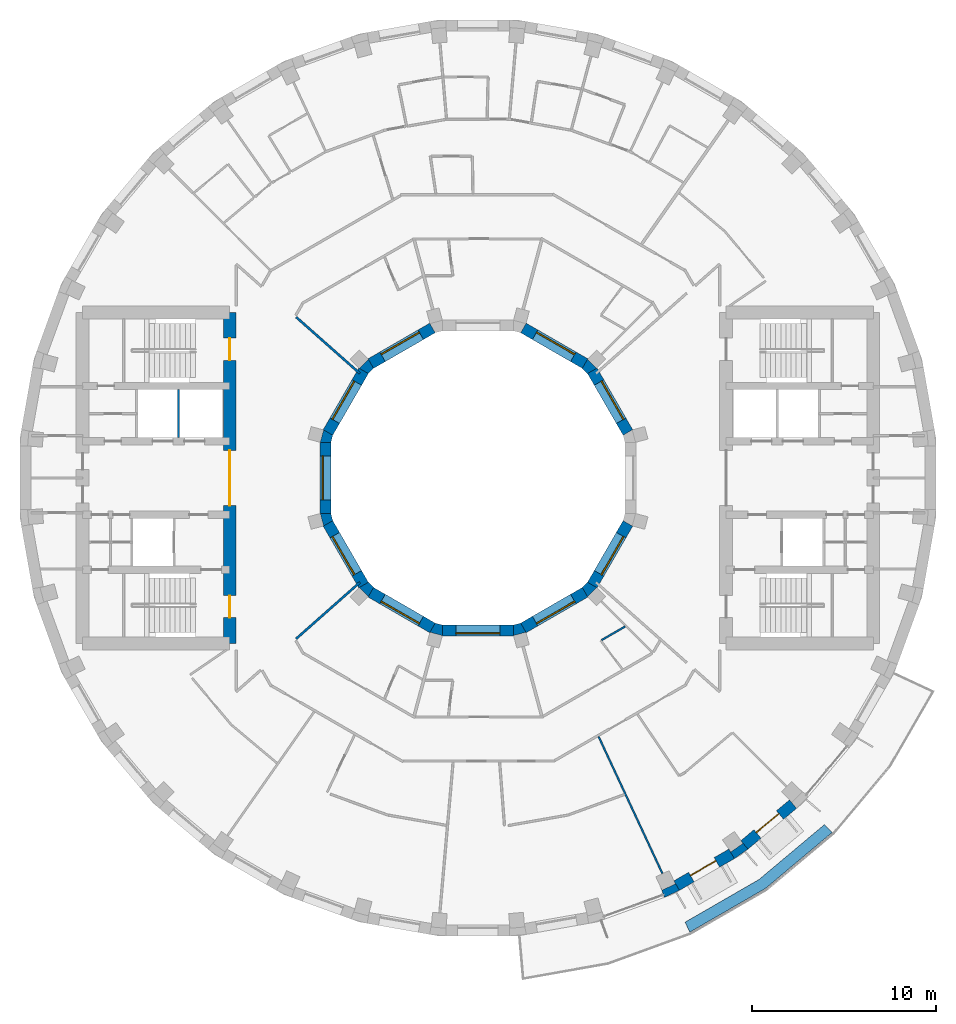
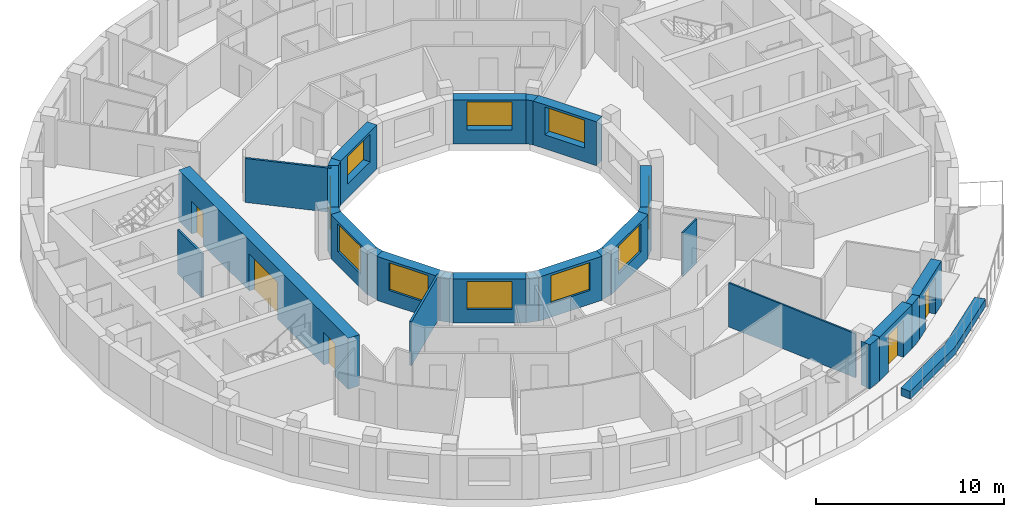
# One storey, part 8 of 15: 29 walls, 10 windows, 5 doors, 15 openings.
"""IFC4 building model written with IfcOpenShell, lengths in metres."""

from ifc_helpers import new_model, si_unit, direction, frame, frame_2d, origin, place, context, subcontext, project, spatial, polyline, rectangle, outline, extrude, material, layer, layer_set, type_object, element, fill, save


model = new_model("IFC4")

# Units and contexts
model_context = context("Model", 3, precision=1e-05, world=origin(), true_north=direction((0.0, 1.0)))
body_context = subcontext(model_context, "Body", "Model", "MODEL_VIEW")
ifc_project = project(units=[si_unit("LENGTHUNIT", "METRE"), si_unit("AREAUNIT", "SQUARE_METRE"), si_unit("VOLUMEUNIT", "CUBIC_METRE"), si_unit("PLANEANGLEUNIT", "RADIAN"), si_unit("MASSUNIT", "GRAM", prefix="KILO")], contexts=[model_context])

# Site, building, storey
site_placement = place(None, origin())
site = spatial("IfcSite", under=ifc_project, at=site_placement, CompositionType="ELEMENT")
building_placement = place(site_placement, origin())
building = spatial("IfcBuilding", under=site, at=building_placement, Name="Saqina Gate Tower", CompositionType="ELEMENT")
storey_placement = place(building_placement, frame((0.0, 0.0, 164.10009765625)))
storey = spatial("IfcBuildingStorey", under=building, at=storey_placement, Name="L46", CompositionType="ELEMENT", Elevation=164.10009765625)

# Walls
ifc_material_1 = material(Name="Brick masonry (buff)", Category="masonry")
wall_type_1 = type_object("IfcWallType", Name="BRICK PIER COPING BUFF", PredefinedType="SOLIDWALL", material=ifc_material_1)
wall_1_placement = place(storey_placement, origin())
element("IfcWall", 1, at=wall_1_placement, inside=storey, type_object=wall_type_1, Name="Pier cap L46 column 30", PredefinedType="SOLIDWALL", context=body_context, shape_type="SweptSolid", body=[
    extrude(outline(polyline([(10.958740234375, -22.4306640625), (10.65869140625, -21.9111328125), (10.73779296875, -22.080810546875), (10.0126953125, -22.4189453125), (9.93359375, -22.249267578125), (10.138916015625, -22.81298828125), (10.958740234375, -22.4306640625)])), origin(), (0.0, 0.0, 1.0), 2.849853515625),
])
wall_2_placement = place(storey_placement, origin())
element("IfcWall", 2, at=wall_2_placement, inside=storey, type_object=wall_type_1, Name="Pier cap L46 column 31", PredefinedType="SOLIDWALL", context=body_context, shape_type="SweptSolid", body=[
    extrude(outline(polyline([(13.9462890625, -20.705810546875), (14.687255859375, -20.18701171875), (14.301513671875, -19.727294921875), (14.408935546875, -19.880859375), (13.753662109375, -20.339599609375), (13.646240234375, -20.186279296875), (13.9462890625, -20.705810546875)])), origin(), (0.0, 0.0, 1.0), 2.849853515625),
])

# Wall, opening, door
ifc_material_2 = material(Name="Brick masonry (buff)", Category="masonry")
ifc_layer_1 = layer(ifc_material_2, 0.60009765625)
ifc_layer_set_1 = layer_set([ifc_layer_1], Name="FW-BRICK-BUFF")
wall_type_2 = type_object("IfcWallType", Name="FW-BRICK-BUFF", PredefinedType="SOLIDWALL", material=ifc_layer_set_1)
wall_3_placement = place(storey_placement, frame((10.80859375, -22.1708984375, 0.0), z_axis=(0.0, 0.0, 1.0), x_axis=(0.86602648383, 0.499998129301, 0.0)))
wall_3 = element("IfcWall", 3, at=wall_3_placement, inside=storey, type_object=wall_type_2, Name="Facade wall L46 facet 30", PredefinedType="SOLIDWALL", context=body_context, shape_type="SweptSolid", body=[
    extrude(rectangle(XDim=3.44970703125, YDim=0.60009765625, at=frame_2d((1.724853515625, 0.0))), origin(), (0.0, 0.0, 1.0), 2.849853515625),
])
opening_1_placement = place(wall_3_placement, frame((0.9248046875, 0.0, 0.0)))
opening_1 = element("IfcOpeningElement", 4, at=opening_1_placement, cuts=wall_3, Name="Opening G13-D80", PredefinedType="OPENING", context=body_context, shape_type="SweptSolid", body=[
    extrude(rectangle(XDim=1.60009765625, YDim=2.39990234375, at=frame_2d((0.800048828125, 1.199951171875))), frame((0.0, 0.31201171875, 0.0), z_axis=(0.0, -1.0, 0.0), x_axis=(1.0, 0.0, 0.0)), (0.0, 0.0, 1.0), 0.6240234375),
])
ifc_material_3 = material(Name="Aluminium glazing", Category="aluminium")
door_type_1 = type_object("IfcDoorType", Name="GD-C", OperationType="DOUBLE_DOOR_SINGLE_SWING", PredefinedType="DOOR", material=ifc_material_3)
door_1_placement = place(opening_1_placement, frame((1.60009765625, 0.0, 0.0), z_axis=(0.0, 0.0, 1.0), x_axis=(-1.0, 0.0, 0.0)))
door_1 = element("IfcDoor", 5, at=door_1_placement, inside=storey, type_object=door_type_1, Name="Terrace door L46 facet 30", OperationType="DOUBLE_DOOR_SINGLE_SWING", OverallHeight=2.39990234375, OverallWidth=1.60009765625, PredefinedType="DOOR", context=body_context, shape_type="SweptSolid", body=[
    extrude(rectangle(XDim=1.60009765625, YDim=2.39990234375, at=frame_2d((0.800048828125, 1.199951171875))), frame((0.0, -0.0751953125, 0.0), z_axis=(0.0, -1.0, 0.0), x_axis=(1.0, 0.0, 0.0)), (0.0, 0.0, 1.0), 0.050048828125),
])
fill(opening_1, door_1)

wall_4_placement = place(storey_placement, frame((14.494384765625, -19.95703125, 0.0), z_axis=(0.0, 0.0, 1.0), x_axis=(0.766058884809, 0.642770398358, 0.0)))
wall_4 = element("IfcWall", 6, at=wall_4_placement, inside=storey, type_object=wall_type_2, Name="Facade wall L46 facet 31", PredefinedType="SOLIDWALL", context=body_context, shape_type="SweptSolid", body=[
    extrude(rectangle(XDim=3.449462890625, YDim=0.60009765625, at=frame_2d((1.724609375, 0.0))), origin(), (0.0, 0.0, 1.0), 2.849853515625),
])
opening_2_placement = place(wall_4_placement, frame((0.9248046875, 0.0, 0.0)))
opening_2 = element("IfcOpeningElement", 7, at=opening_2_placement, cuts=wall_4, Name="Opening G13-D81", PredefinedType="OPENING", context=body_context, shape_type="SweptSolid", body=[
    extrude(rectangle(XDim=1.60009765625, YDim=2.39990234375, at=frame_2d((0.800048828125, 1.199951171875))), frame((0.0, 0.31201171875, 0.0), z_axis=(0.0, -1.0, 0.0), x_axis=(1.0, 0.0, 0.0)), (0.0, 0.0, 1.0), 0.6240234375),
])
door_2_placement = place(opening_2_placement, frame((1.60009765625, 0.0, 0.0), z_axis=(0.0, 0.0, 1.0), x_axis=(-1.0, 0.0, 0.0)))
door_2 = element("IfcDoor", 8, at=door_2_placement, inside=storey, type_object=door_type_1, Name="Terrace door L46 facet 31", OperationType="DOUBLE_DOOR_SINGLE_SWING", OverallHeight=2.39990234375, OverallWidth=1.60009765625, PredefinedType="DOOR", context=body_context, shape_type="SweptSolid", body=[
    extrude(rectangle(XDim=1.60009765625, YDim=2.39990234375, at=frame_2d((0.800048828125, 1.199951171875))), frame((0.0, -0.0751953125, 0.0), z_axis=(0.0, -1.0, 0.0), x_axis=(1.0, 0.0, 0.0)), (0.0, 0.0, 1.0), 0.050048828125),
])
fill(opening_2, door_2)

# Wall, opening, window
ifc_material_4 = material(Name="Glazed ceramic tile", Category="ceramic")
ifc_layer_2 = layer(ifc_material_4, 0.60009765625)
ifc_layer_set_2 = layer_set([ifc_layer_2], Name="IW-TILE")
wall_type_3 = type_object("IfcWallType", Name="IW-TILE", PredefinedType="SOLIDWALL", material=ifc_layer_set_2)
wall_5_placement = place(storey_placement, frame((8.155517578125, 2.474365234375, 0.0), z_axis=(0.0, 0.0, 1.0), x_axis=(-0.500033728941, 0.866005929495, 0.0)))
wall_5 = element("IfcWall", 9, at=wall_5_placement, inside=storey, type_object=wall_type_3, Name="Well wall L46 facet 1", PredefinedType="SOLIDWALL", context=body_context, shape_type="SweptSolid", body=[
    extrude(rectangle(XDim=3.869873046875, YDim=0.60009765625, at=frame_2d((1.93505859375, 0.0))), origin(), (0.0, 0.0, 1.0), 2.849853515625),
])
opening_3_placement = place(wall_5_placement, frame((0.73486328125, 0.0, 0.89990234375)))
opening_3 = element("IfcOpeningElement", 10, at=opening_3_placement, cuts=wall_5, Name="Opening G13-W23", PredefinedType="OPENING", context=body_context, shape_type="SweptSolid", body=[
    extrude(rectangle(XDim=2.39990234375, YDim=1.800048828125, at=frame_2d((1.199951171875, 0.89990234375))), frame((0.0, 0.31201171875, 0.0), z_axis=(0.0, -1.0, 0.0), x_axis=(1.0, 0.0, 0.0)), (0.0, 0.0, 1.0), 0.6240234375),
])
ifc_material_5 = material(Name="Aluminium glazing", Category="aluminium")
window_type = type_object("IfcWindowType", Name="WN-W", PartitioningType="SINGLE_PANEL", PredefinedType="WINDOW", material=ifc_material_5)
window_1_placement = place(opening_3_placement, origin())
window_1 = element("IfcWindow", 11, at=window_1_placement, inside=storey, type_object=window_type, Name="Well window L46 facet 1", OverallHeight=1.800048828125, OverallWidth=2.39990234375, PartitioningType="SINGLE_PANEL", PredefinedType="WINDOW", context=body_context, shape_type="SweptSolid", body=[
    extrude(rectangle(XDim=2.39990234375, YDim=1.800048828125, at=frame_2d((1.199951171875, 0.89990234375))), frame((0.0, -0.119873046875, 0.0), z_axis=(0.0, -1.0, 0.0), x_axis=(1.0, 0.0, 0.0)), (0.0, 0.0, 1.0), 0.06005859375),
])
fill(opening_3, window_1)

wall_6_placement = place(storey_placement, frame((5.82568359375, 6.220458984375, 0.0), z_axis=(0.0, 0.0, 1.0), x_axis=(-0.866005929495, 0.500033728941, 0.0)))
wall_6 = element("IfcWall", 12, at=wall_6_placement, inside=storey, type_object=wall_type_3, Name="Well wall L46 facet 2", PredefinedType="SOLIDWALL", context=body_context, shape_type="SweptSolid", body=[
    extrude(rectangle(XDim=3.869873046875, YDim=0.60009765625, at=frame_2d((1.93505859375, 0.0))), origin(), (0.0, 0.0, 1.0), 2.849853515625),
])
opening_4_placement = place(wall_6_placement, frame((0.73486328125, 0.0, 0.89990234375)))
opening_4 = element("IfcOpeningElement", 13, at=opening_4_placement, cuts=wall_6, Name="Opening G13-W24", PredefinedType="OPENING", context=body_context, shape_type="SweptSolid", body=[
    extrude(rectangle(XDim=2.39990234375, YDim=1.800048828125, at=frame_2d((1.199951171875, 0.89990234375))), frame((0.0, 0.31201171875, 0.0), z_axis=(0.0, -1.0, 0.0), x_axis=(1.0, 0.0, 0.0)), (0.0, 0.0, 1.0), 0.6240234375),
])
window_2_placement = place(opening_4_placement, origin())
window_2 = element("IfcWindow", 14, at=window_2_placement, inside=storey, type_object=window_type, Name="Well window L46 facet 2", OverallHeight=1.800048828125, OverallWidth=2.39990234375, PartitioningType="SINGLE_PANEL", PredefinedType="WINDOW", context=body_context, shape_type="SweptSolid", body=[
    extrude(rectangle(XDim=2.39990234375, YDim=1.800048828125, at=frame_2d((1.199951171875, 0.89990234375))), frame((0.0, -0.119873046875, 0.0), z_axis=(0.0, -1.0, 0.0), x_axis=(1.0, 0.0, 0.0)), (0.0, 0.0, 1.0), 0.06005859375),
])
fill(opening_4, window_2)

wall_7_placement = place(storey_placement, frame((-2.474365234375, 8.155517578125, 0.0), z_axis=(0.0, 0.0, 1.0), x_axis=(-0.866005929495, -0.500033728941, 0.0)))
wall_7 = element("IfcWall", 15, at=wall_7_placement, inside=storey, type_object=wall_type_3, Name="Well wall L46 facet 4", PredefinedType="SOLIDWALL", context=body_context, shape_type="SweptSolid", body=[
    extrude(rectangle(XDim=3.869873046875, YDim=0.60009765625, at=frame_2d((1.93505859375, 0.0))), origin(), (0.0, 0.0, 1.0), 2.849853515625),
])
opening_5_placement = place(wall_7_placement, frame((0.73486328125, 0.0, 0.89990234375)))
opening_5 = element("IfcOpeningElement", 16, at=opening_5_placement, cuts=wall_7, Name="Opening G13-W26", PredefinedType="OPENING", context=body_context, shape_type="SweptSolid", body=[
    extrude(rectangle(XDim=2.39990234375, YDim=1.800048828125, at=frame_2d((1.199951171875, 0.89990234375))), frame((0.0, 0.31201171875, 0.0), z_axis=(0.0, -1.0, 0.0), x_axis=(1.0, 0.0, 0.0)), (0.0, 0.0, 1.0), 0.6240234375),
])
window_3_placement = place(opening_5_placement, origin())
window_3 = element("IfcWindow", 17, at=window_3_placement, inside=storey, type_object=window_type, Name="Well window L46 facet 4", OverallHeight=1.800048828125, OverallWidth=2.39990234375, PartitioningType="SINGLE_PANEL", PredefinedType="WINDOW", context=body_context, shape_type="SweptSolid", body=[
    extrude(rectangle(XDim=2.39990234375, YDim=1.800048828125, at=frame_2d((1.199951171875, 0.89990234375))), frame((0.0, -0.119873046875, 0.0), z_axis=(0.0, -1.0, 0.0), x_axis=(1.0, 0.0, 0.0)), (0.0, 0.0, 1.0), 0.06005859375),
])
fill(opening_5, window_3)

wall_8_placement = place(storey_placement, frame((-6.220458984375, 5.82568359375, 0.0), z_axis=(0.0, 0.0, 1.0), x_axis=(-0.500033728941, -0.866005929495, 0.0)))
wall_8 = element("IfcWall", 18, at=wall_8_placement, inside=storey, type_object=wall_type_3, Name="Well wall L46 facet 5", PredefinedType="SOLIDWALL", context=body_context, shape_type="SweptSolid", body=[
    extrude(rectangle(XDim=3.869873046875, YDim=0.60009765625, at=frame_2d((1.93505859375, 0.0))), origin(), (0.0, 0.0, 1.0), 2.849853515625),
])
opening_6_placement = place(wall_8_placement, frame((0.73486328125, 0.0, 0.89990234375)))
opening_6 = element("IfcOpeningElement", 19, at=opening_6_placement, cuts=wall_8, Name="Opening G13-W27", PredefinedType="OPENING", context=body_context, shape_type="SweptSolid", body=[
    extrude(rectangle(XDim=2.39990234375, YDim=1.800048828125, at=frame_2d((1.199951171875, 0.89990234375))), frame((0.0, 0.31201171875, 0.0), z_axis=(0.0, -1.0, 0.0), x_axis=(1.0, 0.0, 0.0)), (0.0, 0.0, 1.0), 0.6240234375),
])
window_4_placement = place(opening_6_placement, origin())
window_4 = element("IfcWindow", 20, at=window_4_placement, inside=storey, type_object=window_type, Name="Well window L46 facet 5", OverallHeight=1.800048828125, OverallWidth=2.39990234375, PartitioningType="SINGLE_PANEL", PredefinedType="WINDOW", context=body_context, shape_type="SweptSolid", body=[
    extrude(rectangle(XDim=2.39990234375, YDim=1.800048828125, at=frame_2d((1.199951171875, 0.89990234375))), frame((0.0, -0.119873046875, 0.0), z_axis=(0.0, -1.0, 0.0), x_axis=(1.0, 0.0, 0.0)), (0.0, 0.0, 1.0), 0.06005859375),
])
fill(opening_6, window_4)

wall_9_placement = place(storey_placement, frame((-8.300048828125, 1.934814453125, 0.0), z_axis=(0.0, 0.0, 1.0), x_axis=(0.0, -1.0, 0.0)))
wall_9 = element("IfcWall", 21, at=wall_9_placement, inside=storey, type_object=wall_type_3, Name="Well wall L46 facet 6", PredefinedType="SOLIDWALL", context=body_context, shape_type="SweptSolid", body=[
    extrude(rectangle(XDim=3.86962890625, YDim=0.60009765625, at=frame_2d((1.934814453125, 0.0))), origin(), (0.0, 0.0, 1.0), 2.849853515625),
])
opening_7_placement = place(wall_9_placement, frame((0.73486328125, 0.0, 0.89990234375)))
opening_7 = element("IfcOpeningElement", 22, at=opening_7_placement, cuts=wall_9, Name="Opening G13-W28", PredefinedType="OPENING", context=body_context, shape_type="SweptSolid", body=[
    extrude(rectangle(XDim=2.39990234375, YDim=1.800048828125, at=frame_2d((1.199951171875, 0.89990234375))), frame((0.0, 0.31201171875, 0.0), z_axis=(0.0, -1.0, 0.0), x_axis=(1.0, 0.0, 0.0)), (0.0, 0.0, 1.0), 0.6240234375),
])
window_5_placement = place(opening_7_placement, origin())
window_5 = element("IfcWindow", 23, at=window_5_placement, inside=storey, type_object=window_type, Name="Well window L46 facet 6", OverallHeight=1.800048828125, OverallWidth=2.39990234375, PartitioningType="SINGLE_PANEL", PredefinedType="WINDOW", context=body_context, shape_type="SweptSolid", body=[
    extrude(rectangle(XDim=2.39990234375, YDim=1.800048828125, at=frame_2d((1.199951171875, 0.89990234375))), frame((0.0, -0.119873046875, 0.0), z_axis=(0.0, -1.0, 0.0), x_axis=(1.0, 0.0, 0.0)), (0.0, 0.0, 1.0), 0.06005859375),
])
fill(opening_7, window_5)

wall_10_placement = place(storey_placement, frame((-8.155517578125, -2.474365234375, 0.0), z_axis=(0.0, 0.0, 1.0), x_axis=(0.500033728941, -0.866005929495, 0.0)))
wall_10 = element("IfcWall", 24, at=wall_10_placement, inside=storey, type_object=wall_type_3, Name="Well wall L46 facet 7", PredefinedType="SOLIDWALL", context=body_context, shape_type="SweptSolid", body=[
    extrude(rectangle(XDim=3.869873046875, YDim=0.60009765625, at=frame_2d((1.93505859375, 0.0))), origin(), (0.0, 0.0, 1.0), 2.849853515625),
])
opening_8_placement = place(wall_10_placement, frame((0.73486328125, 0.0, 0.89990234375)))
opening_8 = element("IfcOpeningElement", 25, at=opening_8_placement, cuts=wall_10, Name="Opening G13-W29", PredefinedType="OPENING", context=body_context, shape_type="SweptSolid", body=[
    extrude(rectangle(XDim=2.39990234375, YDim=1.800048828125, at=frame_2d((1.199951171875, 0.89990234375))), frame((0.0, 0.31201171875, 0.0), z_axis=(0.0, -1.0, 0.0), x_axis=(1.0, 0.0, 0.0)), (0.0, 0.0, 1.0), 0.6240234375),
])
window_6_placement = place(opening_8_placement, origin())
window_6 = element("IfcWindow", 26, at=window_6_placement, inside=storey, type_object=window_type, Name="Well window L46 facet 7", OverallHeight=1.800048828125, OverallWidth=2.39990234375, PartitioningType="SINGLE_PANEL", PredefinedType="WINDOW", context=body_context, shape_type="SweptSolid", body=[
    extrude(rectangle(XDim=2.39990234375, YDim=1.800048828125, at=frame_2d((1.199951171875, 0.89990234375))), frame((0.0, -0.119873046875, 0.0), z_axis=(0.0, -1.0, 0.0), x_axis=(1.0, 0.0, 0.0)), (0.0, 0.0, 1.0), 0.06005859375),
])
fill(opening_8, window_6)

wall_11_placement = place(storey_placement, frame((-5.82568359375, -6.220458984375, 0.0), z_axis=(0.0, 0.0, 1.0), x_axis=(0.866005929495, -0.500033728941, 0.0)))
wall_11 = element("IfcWall", 27, at=wall_11_placement, inside=storey, type_object=wall_type_3, Name="Well wall L46 facet 8", PredefinedType="SOLIDWALL", context=body_context, shape_type="SweptSolid", body=[
    extrude(rectangle(XDim=3.869873046875, YDim=0.60009765625, at=frame_2d((1.93505859375, 0.0))), origin(), (0.0, 0.0, 1.0), 2.849853515625),
])
opening_9_placement = place(wall_11_placement, frame((0.73486328125, 0.0, 0.89990234375)))
opening_9 = element("IfcOpeningElement", 28, at=opening_9_placement, cuts=wall_11, Name="Opening G13-W30", PredefinedType="OPENING", context=body_context, shape_type="SweptSolid", body=[
    extrude(rectangle(XDim=2.39990234375, YDim=1.800048828125, at=frame_2d((1.199951171875, 0.89990234375))), frame((0.0, 0.31201171875, 0.0), z_axis=(0.0, -1.0, 0.0), x_axis=(1.0, 0.0, 0.0)), (0.0, 0.0, 1.0), 0.6240234375),
])
window_7_placement = place(opening_9_placement, origin())
window_7 = element("IfcWindow", 29, at=window_7_placement, inside=storey, type_object=window_type, Name="Well window L46 facet 8", OverallHeight=1.800048828125, OverallWidth=2.39990234375, PartitioningType="SINGLE_PANEL", PredefinedType="WINDOW", context=body_context, shape_type="SweptSolid", body=[
    extrude(rectangle(XDim=2.39990234375, YDim=1.800048828125, at=frame_2d((1.199951171875, 0.89990234375))), frame((0.0, -0.119873046875, 0.0), z_axis=(0.0, -1.0, 0.0), x_axis=(1.0, 0.0, 0.0)), (0.0, 0.0, 1.0), 0.06005859375),
])
fill(opening_9, window_7)

wall_12_placement = place(storey_placement, frame((-1.934814453125, -8.300048828125, 0.0), z_axis=(0.0, 0.0, 1.0), x_axis=(1.0, 0.0, 0.0)))
wall_12 = element("IfcWall", 30, at=wall_12_placement, inside=storey, type_object=wall_type_3, Name="Well wall L46 facet 9", PredefinedType="SOLIDWALL", context=body_context, shape_type="SweptSolid", body=[
    extrude(rectangle(XDim=3.86962890625, YDim=0.60009765625, at=frame_2d((1.934814453125, 0.0))), origin(), (0.0, 0.0, 1.0), 2.849853515625),
])
opening_10_placement = place(wall_12_placement, frame((0.73486328125, 0.0, 0.89990234375)))
opening_10 = element("IfcOpeningElement", 31, at=opening_10_placement, cuts=wall_12, Name="Opening G13-W31", PredefinedType="OPENING", context=body_context, shape_type="SweptSolid", body=[
    extrude(rectangle(XDim=2.39990234375, YDim=1.800048828125, at=frame_2d((1.199951171875, 0.89990234375))), frame((0.0, 0.31201171875, 0.0), z_axis=(0.0, -1.0, 0.0), x_axis=(1.0, 0.0, 0.0)), (0.0, 0.0, 1.0), 0.6240234375),
])
window_8_placement = place(opening_10_placement, origin())
window_8 = element("IfcWindow", 32, at=window_8_placement, inside=storey, type_object=window_type, Name="Well window L46 facet 9", OverallHeight=1.800048828125, OverallWidth=2.39990234375, PartitioningType="SINGLE_PANEL", PredefinedType="WINDOW", context=body_context, shape_type="SweptSolid", body=[
    extrude(rectangle(XDim=2.39990234375, YDim=1.800048828125, at=frame_2d((1.199951171875, 0.89990234375))), frame((0.0, -0.119873046875, 0.0), z_axis=(0.0, -1.0, 0.0), x_axis=(1.0, 0.0, 0.0)), (0.0, 0.0, 1.0), 0.06005859375),
])
fill(opening_10, window_8)

wall_13_placement = place(storey_placement, frame((2.474365234375, -8.155517578125, 0.0), z_axis=(0.0, 0.0, 1.0), x_axis=(0.866005929495, 0.500033728941, 0.0)))
wall_13 = element("IfcWall", 33, at=wall_13_placement, inside=storey, type_object=wall_type_3, Name="Well wall L46 facet 10", PredefinedType="SOLIDWALL", context=body_context, shape_type="SweptSolid", body=[
    extrude(rectangle(XDim=3.869873046875, YDim=0.60009765625, at=frame_2d((1.93505859375, 0.0))), origin(), (0.0, 0.0, 1.0), 2.849853515625),
])
opening_11_placement = place(wall_13_placement, frame((0.73486328125, 0.0, 0.89990234375)))
opening_11 = element("IfcOpeningElement", 34, at=opening_11_placement, cuts=wall_13, Name="Opening G13-W32", PredefinedType="OPENING", context=body_context, shape_type="SweptSolid", body=[
    extrude(rectangle(XDim=2.39990234375, YDim=1.800048828125, at=frame_2d((1.199951171875, 0.89990234375))), frame((0.0, 0.31201171875, 0.0), z_axis=(0.0, -1.0, 0.0), x_axis=(1.0, 0.0, 0.0)), (0.0, 0.0, 1.0), 0.6240234375),
])
window_9_placement = place(opening_11_placement, origin())
window_9 = element("IfcWindow", 35, at=window_9_placement, inside=storey, type_object=window_type, Name="Well window L46 facet 10", OverallHeight=1.800048828125, OverallWidth=2.39990234375, PartitioningType="SINGLE_PANEL", PredefinedType="WINDOW", context=body_context, shape_type="SweptSolid", body=[
    extrude(rectangle(XDim=2.39990234375, YDim=1.800048828125, at=frame_2d((1.199951171875, 0.89990234375))), frame((0.0, -0.119873046875, 0.0), z_axis=(0.0, -1.0, 0.0), x_axis=(1.0, 0.0, 0.0)), (0.0, 0.0, 1.0), 0.06005859375),
])
fill(opening_11, window_9)

wall_14_placement = place(storey_placement, frame((6.220458984375, -5.82568359375, 0.0), z_axis=(0.0, 0.0, 1.0), x_axis=(0.500033728941, 0.866005929495, 0.0)))
wall_14 = element("IfcWall", 36, at=wall_14_placement, inside=storey, type_object=wall_type_3, Name="Well wall L46 facet 11", PredefinedType="SOLIDWALL", context=body_context, shape_type="SweptSolid", body=[
    extrude(rectangle(XDim=3.869873046875, YDim=0.60009765625, at=frame_2d((1.93505859375, 0.0))), origin(), (0.0, 0.0, 1.0), 2.849853515625),
])
opening_12_placement = place(wall_14_placement, frame((0.73486328125, 0.0, 0.89990234375)))
opening_12 = element("IfcOpeningElement", 37, at=opening_12_placement, cuts=wall_14, Name="Opening G13-W33", PredefinedType="OPENING", context=body_context, shape_type="SweptSolid", body=[
    extrude(rectangle(XDim=2.39990234375, YDim=1.800048828125, at=frame_2d((1.199951171875, 0.89990234375))), frame((0.0, 0.31201171875, 0.0), z_axis=(0.0, -1.0, 0.0), x_axis=(1.0, 0.0, 0.0)), (0.0, 0.0, 1.0), 0.6240234375),
])
window_10_placement = place(opening_12_placement, origin())
window_10 = element("IfcWindow", 38, at=window_10_placement, inside=storey, type_object=window_type, Name="Well window L46 facet 11", OverallHeight=1.800048828125, OverallWidth=2.39990234375, PartitioningType="SINGLE_PANEL", PredefinedType="WINDOW", context=body_context, shape_type="SweptSolid", body=[
    extrude(rectangle(XDim=2.39990234375, YDim=1.800048828125, at=frame_2d((1.199951171875, 0.89990234375))), frame((0.0, -0.119873046875, 0.0), z_axis=(0.0, -1.0, 0.0), x_axis=(1.0, 0.0, 0.0)), (0.0, 0.0, 1.0), 0.06005859375),
])
fill(opening_12, window_10)

# Walls
ifc_material_6 = material(Name="Gypsum board on steel studs, 100 mm", Category="steel")
ifc_layer_3 = layer(ifc_material_6, 0.10009765625)
ifc_layer_set_3 = layer_set([ifc_layer_3], Name="PARTITION 100")
wall_type_4 = type_object("IfcWallType", Name="PARTITION 100", PredefinedType="PARTITIONING", material=ifc_layer_set_3)
wall_15_placement = place(storey_placement, frame((6.56201171875, -14.06640625, 0.0), z_axis=(0.0, 0.0, 1.0), x_axis=(0.422374740617, -0.906421302976, 0.0)))
element("IfcWall", 39, at=wall_15_placement, inside=storey, type_object=wall_type_4, Name="PARTITION PW3-10", PredefinedType="PARTITIONING", context=body_context, shape_type="SweptSolid", body=[
    extrude(rectangle(XDim=8.21826171875, YDim=0.10009765625, at=frame_2d((4.109130859375, 0.0))), origin(), (0.0, 0.0, 1.0), 2.849853515625),
])
wall_16_placement = place(storey_placement, frame((6.724365234375, -8.819091796875, 0.0), z_axis=(0.0, 0.0, 1.0), x_axis=(0.866292397233, 0.499537268376, 0.0)))
element("IfcWall", 40, at=wall_16_placement, inside=storey, type_object=wall_type_4, Name="PARTITION PW3-43", PredefinedType="PARTITIONING", context=body_context, shape_type="SweptSolid", body=[
    extrude(rectangle(XDim=1.48388671875, YDim=0.10009765625, at=frame_2d((0.741943359375, 0.0))), origin(), (0.0, 0.0, 1.0), 2.849853515625),
])
ifc_material_7 = material(Name="Gypsum board on steel studs, 125 mm, fire rated", Category="steel")
ifc_layer_4 = layer(ifc_material_7, 0.125)
ifc_layer_set_4 = layer_set([ifc_layer_4], Name="PARTITION EI 30 125")
wall_type_5 = type_object("IfcWallType", Name="PARTITION EI 30 125", PredefinedType="PARTITIONING", material=ifc_layer_set_4)
for number, where, z_axis, x_axis, name in (
    (41, (-9.89111328125, 8.750732421875, 0.0), (0.0, 0.0, 1.0), (0.748982485585, -0.662589794886, 0.0), "PARTITION PW1-07"),
    (42, (-9.89111328125, -8.750732421875, 0.0), (0.0, 0.0, 1.0), (0.748982485585, 0.662589794886, 0.0), "PARTITION PW1-31"),
):
    element("IfcWall", number, at=place(storey_placement, frame(where, z_axis=z_axis, x_axis=x_axis)), inside=storey, type_object=wall_type_5, Name=name, PredefinedType="PARTITIONING", context=body_context, shape_type="SweptSolid", body=[
        extrude(rectangle(XDim=4.634521484375, YDim=0.125, at=frame_2d((2.3173828125, 0.0))), origin(), (0.0, 0.0, 1.0), 2.849853515625),
    ])
ifc_material_8 = material(Name="Brick masonry (red)", Category="masonry")
ifc_layer_5 = layer(ifc_material_8, 0.60009765625)
ifc_layer_set_5 = layer_set([ifc_layer_5], Name="PL-PLANTER")
wall_type_6 = type_object("IfcWallType", Name="PL-PLANTER", PredefinedType="PARAPET", material=ifc_layer_set_5)
wall_17_placement = place(storey_placement, origin())
element("IfcWall", 43, at=wall_17_placement, inside=storey, type_object=wall_type_6, Name="Planter L46", PredefinedType="PARAPET", context=body_context, shape_type="SweptSolid", body=[
    extrude(outline(polyline([(11.52001953125, -24.70458984375), (15.635009765625, -22.328857421875), (19.274658203125, -19.274658203125), (18.848876953125, -18.848876953125), (15.289306640625, -21.835693359375), (11.265380859375, -24.15869140625), (11.52001953125, -24.70458984375)])), origin(), (0.0, 0.0, 1.0), 0.5),
])
ifc_material_9 = material(Name="Autoclaved aerated concrete block", Category="concrete")
ifc_layer_6 = layer(ifc_material_9, 0.1201171875)
ifc_layer_set_6 = layer_set([ifc_layer_6], Name="SHAFT PARTITION")
wall_type_7 = type_object("IfcWallType", Name="SHAFT PARTITION", PredefinedType="PARTITIONING", material=ifc_layer_set_6)
wall_18_placement = place(storey_placement, frame((-16.280029296875, 2.199951171875, 0.0), z_axis=(0.0, 0.0, 1.0), x_axis=(0.0, 1.0, 0.0)))
element("IfcWall", 44, at=wall_18_placement, inside=storey, type_object=wall_type_7, Name="L46-CP-W06", PredefinedType="PARTITIONING", context=body_context, shape_type="SweptSolid", body=[
    extrude(rectangle(XDim=2.60009765625, YDim=0.1201171875, at=frame_2d((1.300048828125, 0.0))), origin(), (0.0, 0.0, 1.0), 2.849853515625),
])

# Wall, openings, doors
ifc_material_10 = material(Name="Concrete C60/75", Category="concrete")
ifc_layer_7 = layer(ifc_material_10, 0.699951171875)
ifc_layer_set_7 = layer_set([ifc_layer_7], Name="Concrete C60/75")
wall_type_8 = type_object("IfcWallType", Name="STR-CORE WALL-C-O", PredefinedType="SHEAR", material=ifc_layer_set_7)
wall_19_placement = place(storey_placement, frame((-13.5, -9.0, 0.0), z_axis=(0.0, 0.0, 1.0), x_axis=(0.0, 1.0, 0.0)))
wall_19 = element("IfcWall", 45, at=wall_19_placement, inside=storey, type_object=wall_type_8, Name="CORE WALL L46 W-W1", PredefinedType="SHEAR", context=body_context, shape_type="SweptSolid", body=[
    extrude(rectangle(XDim=18.0, YDim=0.699951171875, at=frame_2d((9.0, 0.0))), origin(), (0.0, 0.0, 1.0), 3.2998046875),
])
opening_13_placement = place(wall_19_placement, frame((15.39990234375, 0.0, 0.0)))
opening_13 = element("IfcOpeningElement", 46, at=opening_13_placement, cuts=wall_19, Name="Opening G13-D121", PredefinedType="OPENING", context=body_context, shape_type="SweptSolid", body=[
    extrude(rectangle(XDim=1.199951171875, YDim=2.10009765625, at=frame_2d((0.60009765625, 1.050048828125))), frame((0.0, 0.362060546875, 0.0), z_axis=(0.0, -1.0, 0.0), x_axis=(1.0, 0.0, 0.0)), (0.0, 0.0, 1.0), 0.723876953125),
])
opening_14_placement = place(wall_19_placement, frame((1.39990234375, 0.0, 0.0)))
opening_14 = element("IfcOpeningElement", 47, at=opening_14_placement, cuts=wall_19, Name="Opening G13-D122", PredefinedType="OPENING", context=body_context, shape_type="SweptSolid", body=[
    extrude(rectangle(XDim=1.199951171875, YDim=2.10009765625, at=frame_2d((0.60009765625, 1.050048828125))), frame((0.0, 0.362060546875, 0.0), z_axis=(0.0, -1.0, 0.0), x_axis=(1.0, 0.0, 0.0)), (0.0, 0.0, 1.0), 0.723876953125),
])
opening_15_placement = place(wall_19_placement, frame((7.5, 0.0, 0.0)))
opening_15 = element("IfcOpeningElement", 48, at=opening_15_placement, cuts=wall_19, Name="Opening G13-D123", PredefinedType="OPENING", context=body_context, shape_type="SweptSolid", body=[
    extrude(rectangle(XDim=3.0, YDim=2.39990234375, at=frame_2d((1.5, 1.199951171875))), frame((0.0, 0.362060546875, 0.0), z_axis=(0.0, -1.0, 0.0), x_axis=(1.0, 0.0, 0.0)), (0.0, 0.0, 1.0), 0.723876953125),
])
ifc_material_11 = material(Name="Steel", Category="steel")
door_type_2 = type_object("IfcDoorType", Name="FIRE DOOR EI 60", OperationType="SINGLE_SWING_LEFT", PredefinedType="DOOR", material=ifc_material_11)
door_3_placement = place(opening_13_placement, origin())
door_3 = element("IfcDoor", 49, at=door_3_placement, inside=storey, type_object=door_type_2, Name="L46-CD-W32", OperationType="SINGLE_SWING_RIGHT", OverallHeight=2.10009765625, OverallWidth=1.199951171875, PredefinedType="DOOR", context=body_context, shape_type="SweptSolid", body=[
    extrude(rectangle(XDim=1.199951171875, YDim=2.10009765625, at=frame_2d((0.60009765625, 1.050048828125))), frame((0.0, 0.02490234375, 0.0), z_axis=(0.0, -1.0, 0.0), x_axis=(1.0, 0.0, 0.0)), (0.0, 0.0, 1.0), 0.050048828125),
])
fill(opening_13, door_3)
door_4_placement = place(opening_14_placement, origin())
door_4 = element("IfcDoor", 50, at=door_4_placement, inside=storey, type_object=door_type_2, Name="L46-CD-W33", OperationType="SINGLE_SWING_LEFT", OverallHeight=2.10009765625, OverallWidth=1.199951171875, PredefinedType="DOOR", context=body_context, shape_type="SweptSolid", body=[
    extrude(rectangle(XDim=1.199951171875, YDim=2.10009765625, at=frame_2d((0.60009765625, 1.050048828125))), frame((0.0, 0.02490234375, 0.0), z_axis=(0.0, -1.0, 0.0), x_axis=(1.0, 0.0, 0.0)), (0.0, 0.0, 1.0), 0.050048828125),
])
fill(opening_14, door_4)
ifc_material_12 = material(Name="Steel and fire-resisting glass", Category="steel")
door_type_3 = type_object("IfcDoorType", Name="LOBBY SCREEN DOOR", OperationType="DOUBLE_DOOR_SLIDING", PredefinedType="DOOR", material=ifc_material_12)
door_5_placement = place(opening_15_placement, origin())
door_5 = element("IfcDoor", 51, at=door_5_placement, inside=storey, type_object=door_type_3, Name="L46-CD-W34", OperationType="DOUBLE_DOOR_SLIDING", OverallHeight=2.39990234375, OverallWidth=3.0, PredefinedType="DOOR", context=body_context, shape_type="SweptSolid", body=[
    extrude(rectangle(XDim=3.0, YDim=2.39990234375, at=frame_2d((1.5, 1.199951171875))), frame((0.0, 0.02490234375, 0.0), z_axis=(0.0, -1.0, 0.0), x_axis=(1.0, 0.0, 0.0)), (0.0, 0.0, 1.0), 0.050048828125),
])
fill(opening_15, door_5)

# Walls
ifc_material_13 = material(Name="Glazed ceramic tile", Category="ceramic")
wall_type_9 = type_object("IfcWallType", Name="TILE PIER COPING", PredefinedType="SOLIDWALL", material=ifc_material_13)
wall_20_placement = place(storey_placement, origin())
element("IfcWall", 52, at=wall_20_placement, inside=storey, type_object=wall_type_9, Name="Well pier cap L46 column 2", PredefinedType="SOLIDWALL", context=body_context, shape_type="SweptSolid", body=[
    extrude(outline(polyline([(5.96240234375, 6.45751953125), (5.67578125, 5.960693359375), (5.960693359375, 5.67578125), (6.45751953125, 5.96240234375), (5.96240234375, 6.45751953125)])), origin(), (0.0, 0.0, 1.0), 2.849853515625),
])
wall_21_placement = place(storey_placement, origin())
element("IfcWall", 53, at=wall_21_placement, inside=storey, type_object=wall_type_9, Name="Well pier cap L46 column 5", PredefinedType="SOLIDWALL", context=body_context, shape_type="SweptSolid", body=[
    extrude(outline(polyline([(-6.45751953125, 5.96240234375), (-5.960693359375, 5.67578125), (-5.67578125, 5.960693359375), (-5.96240234375, 6.45751953125), (-6.45751953125, 5.96240234375)])), origin(), (0.0, 0.0, 1.0), 2.849853515625),
])
wall_22_placement = place(storey_placement, origin())
element("IfcWall", 54, at=wall_22_placement, inside=storey, type_object=wall_type_9, Name="Well pier cap L46 column 6", PredefinedType="SOLIDWALL", context=body_context, shape_type="SweptSolid", body=[
    extrude(outline(polyline([(-8.573486328125, 1.934814453125), (-8.0, 1.934814453125), (-7.895751953125, 2.32421875), (-8.392333984375, 2.611083984375), (-8.573486328125, 1.934814453125)])), origin(), (0.0, 0.0, 1.0), 2.849853515625),
])
wall_23_placement = place(storey_placement, origin())
element("IfcWall", 55, at=wall_23_placement, inside=storey, type_object=wall_type_9, Name="Well pier cap L46 column 7", PredefinedType="SOLIDWALL", context=body_context, shape_type="SweptSolid", body=[
    extrude(outline(polyline([(-8.0, -1.934814453125), (-8.573486328125, -1.934814453125), (-8.392333984375, -2.611083984375), (-7.895751953125, -2.32421875), (-8.0, -1.934814453125)])), origin(), (0.0, 0.0, 1.0), 2.849853515625),
])
wall_24_placement = place(storey_placement, origin())
element("IfcWall", 56, at=wall_24_placement, inside=storey, type_object=wall_type_9, Name="Well pier cap L46 column 8", PredefinedType="SOLIDWALL", context=body_context, shape_type="SweptSolid", body=[
    extrude(outline(polyline([(-6.45751953125, -5.96240234375), (-5.96240234375, -6.45751953125), (-5.67578125, -5.960693359375), (-5.960693359375, -5.67578125), (-6.45751953125, -5.96240234375)])), origin(), (0.0, 0.0, 1.0), 2.849853515625),
])
wall_25_placement = place(storey_placement, origin())
element("IfcWall", 57, at=wall_25_placement, inside=storey, type_object=wall_type_9, Name="Well pier cap L46 column 9", PredefinedType="SOLIDWALL", context=body_context, shape_type="SweptSolid", body=[
    extrude(outline(polyline([(-1.934814453125, -8.573486328125), (-1.934814453125, -8.0), (-2.32421875, -7.895751953125), (-2.611083984375, -8.392333984375), (-1.934814453125, -8.573486328125)])), origin(), (0.0, 0.0, 1.0), 2.849853515625),
])
wall_26_placement = place(storey_placement, origin())
element("IfcWall", 58, at=wall_26_placement, inside=storey, type_object=wall_type_9, Name="Well pier cap L46 column 10", PredefinedType="SOLIDWALL", context=body_context, shape_type="SweptSolid", body=[
    extrude(outline(polyline([(2.611083984375, -8.392333984375), (2.32421875, -7.895751953125), (1.934814453125, -8.0), (1.934814453125, -8.573486328125), (2.611083984375, -8.392333984375)])), origin(), (0.0, 0.0, 1.0), 2.849853515625),
])
wall_27_placement = place(storey_placement, origin())
element("IfcWall", 59, at=wall_27_placement, inside=storey, type_object=wall_type_9, Name="Well pier cap L46 column 11", PredefinedType="SOLIDWALL", context=body_context, shape_type="SweptSolid", body=[
    extrude(outline(polyline([(5.96240234375, -6.45751953125), (6.45751953125, -5.96240234375), (5.960693359375, -5.67578125), (5.67578125, -5.960693359375), (5.96240234375, -6.45751953125)])), origin(), (0.0, 0.0, 1.0), 2.849853515625),
])

save(model, "model.ifc")
